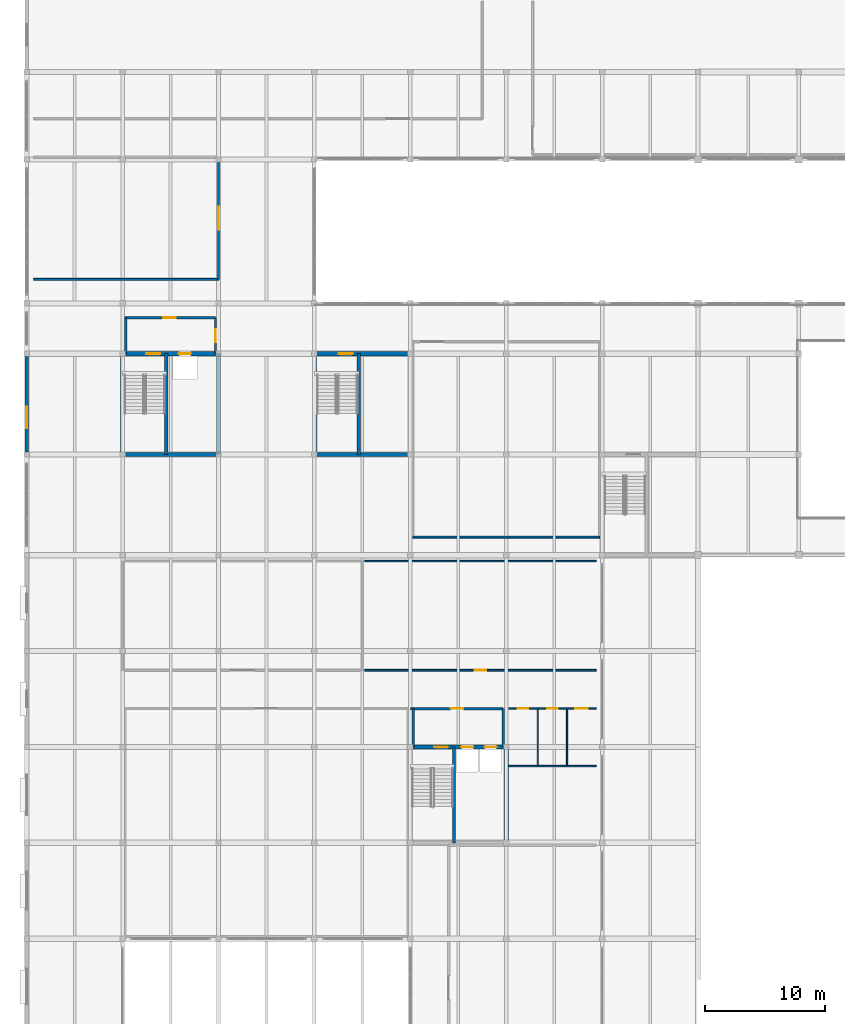
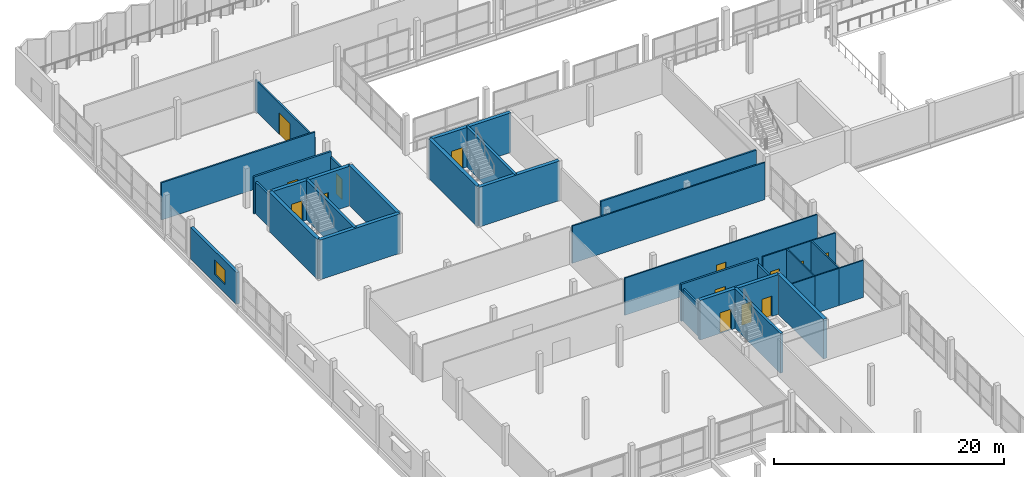
# One storey, part 38 of 53: 32 walls, 14 doors, 1 window, 15 openings.
"""IFC4 building model written with IfcOpenShell, lengths in metres."""

from ifc_helpers import new_model, si_unit, direction, frame, frame_2d, origin, place, context, subcontext, project, spatial, rectangle, extrude, material, layer, layer_set, type_object, element, fill, save


model = new_model("IFC4")

# Units and contexts
model_context = context("Model", 3, precision=1e-05, world=origin(), true_north=direction((0.0, 1.0)))
body_context = subcontext(model_context, "Body", "Model", "MODEL_VIEW")
ifc_project = project(units=[si_unit("LENGTHUNIT", "METRE"), si_unit("AREAUNIT", "SQUARE_METRE"), si_unit("VOLUMEUNIT", "CUBIC_METRE"), si_unit("PLANEANGLEUNIT", "RADIAN"), si_unit("MASSUNIT", "GRAM", prefix="KILO")], contexts=[model_context])

# Site, building, storey
site_placement = place(None, origin())
site = spatial("IfcSite", under=ifc_project, at=site_placement, CompositionType="ELEMENT")
building_placement = place(site_placement, origin())
building = spatial("IfcBuilding", under=site, at=building_placement, Name="Vharandega Faculty of Natural Sciences", CompositionType="ELEMENT")
storey_placement = place(building_placement, frame((0.0, 0.0, 10.199951171875)))
storey = spatial("IfcBuildingStorey", under=building, at=storey_placement, Name="L02", CompositionType="ELEMENT", Elevation=10.199951171875)

# Wall
ifc_material_1 = material(Name="Concrete C40/50", Category="concrete")
ifc_layer_1 = layer(ifc_material_1, 0.35009765625, Name="Concrete C40/50")
ifc_layer_set_1 = layer_set([ifc_layer_1], Name="Concrete C40/50")
wall_type_1 = type_object("IfcWallType", Name="Core Shear Wall 350", PredefinedType="SHEAR", material=ifc_layer_set_1)
wall_1_placement = place(storey_placement, frame((40.0, 40.0, 0.0), z_axis=(0.0, 0.0, 1.0), x_axis=(0.0, 1.0, 0.0)))
element("IfcWall", 1, at=wall_1_placement, inside=storey, type_object=wall_type_1, Name="Interior Wall CW-C3-L02-E", PredefinedType="SHEAR", context=body_context, shape_type="SweptSolid", body=[
    extrude(rectangle(XDim=8.0, YDim=0.35009765625, at=frame_2d((4.0, 0.0))), origin(), (0.0, 0.0, 1.0), 4.199951171875),
])

# Wall, openings, doors
wall_2_placement = place(storey_placement, frame((32.0, 48.0, 0.0), z_axis=(0.0, 0.0, 1.0), x_axis=(1.0, 0.0, 0.0)))
wall_2 = element("IfcWall", 2, at=wall_2_placement, inside=storey, type_object=wall_type_1, Name="Interior Wall CW-C3-L02-N", PredefinedType="SHEAR", context=body_context, shape_type="SweptSolid", body=[
    extrude(rectangle(XDim=8.0, YDim=0.35009765625, at=frame_2d((4.0, 0.0))), origin(), (0.0, 0.0, 1.0), 4.199951171875),
])
opening_1_placement = place(wall_2_placement, frame((1.97998046875, 0.0, 0.0)))
opening_1 = element("IfcOpeningElement", 3, at=opening_1_placement, cuts=wall_2, Name="Opening FD1", PredefinedType="OPENING", context=body_context, shape_type="SweptSolid", body=[
    extrude(rectangle(XDim=1.14990234375, YDim=2.199951171875, at=frame_2d((0.574951171875, 1.10009765625))), frame((0.0, 0.18505859375, 0.0), z_axis=(0.0, -1.0, 0.0), x_axis=(1.0, 0.0, 0.0)), (0.0, 0.0, 1.0), 0.3701171875),
])
opening_2_placement = place(wall_2_placement, frame((4.25, 0.0, 0.0)))
opening_2 = element("IfcOpeningElement", 4, at=opening_2_placement, cuts=wall_2, Name="Opening LD-LP3-L02", PredefinedType="OPENING", context=body_context, shape_type="SweptSolid", body=[
    extrude(rectangle(XDim=1.0, YDim=2.14990234375, at=frame_2d((0.5, 1.074951171875))), frame((0.0, 0.18505859375, 0.0), z_axis=(0.0, -1.0, 0.0), x_axis=(1.0, 0.0, 0.0)), (0.0, 0.0, 1.0), 0.3701171875),
])
opening_3_placement = place(wall_2_placement, frame((6.199951171875, 0.0, 0.0)))
opening_3 = element("IfcOpeningElement", 5, at=opening_3_placement, cuts=wall_2, Name="Opening LD-LP4-L02", PredefinedType="OPENING", context=body_context, shape_type="SweptSolid", body=[
    extrude(rectangle(XDim=1.0, YDim=2.14990234375, at=frame_2d((0.5, 1.074951171875))), frame((0.0, 0.18505859375, 0.0), z_axis=(0.0, -1.0, 0.0), x_axis=(1.0, 0.0, 0.0)), (0.0, 0.0, 1.0), 0.3701171875),
])
ifc_material_2 = material(Name="Solid-core hardwood timber fire door", Category="wood")
door_type_1 = type_object("IfcDoorType", Name="FD1-STAIR-1150x2200", OperationType="NOTDEFINED", PredefinedType="DOOR", material=ifc_material_2)
door_1_placement = place(opening_1_placement, origin())
door_1 = element("IfcDoor", 6, at=door_1_placement, inside=storey, type_object=door_type_1, Name="Stair ST3 Fire Door FD1", OperationType="SINGLE_SWING_LEFT", OverallHeight=2.199951171875, OverallWidth=1.14990234375, PredefinedType="DOOR", context=body_context, shape_type="SweptSolid", body=[
    extrude(rectangle(XDim=1.14990234375, YDim=2.199951171875, at=frame_2d((0.574951171875, 1.10009765625))), frame((0.0, 0.02490234375, 0.0), z_axis=(0.0, -1.0, 0.0), x_axis=(1.0, 0.0, 0.0)), (0.0, 0.0, 1.0), 0.050048828125),
])
fill(opening_1, door_1)
ifc_material_3 = material(Name="Brushed stainless steel sliding landing door", Category="steel")
door_type_2 = type_object("IfcDoorType", Name="LD2-PAXLIFT-SLIDING-1000x2150", OperationType="DOUBLE_DOOR_SLIDING", PredefinedType="DOOR", material=ifc_material_3)
door_2_placement = place(opening_2_placement, origin())
door_2 = element("IfcDoor", 7, at=door_2_placement, inside=storey, type_object=door_type_2, Name="Lift Landing Door LD-LP3-L02", OperationType="DOUBLE_DOOR_SLIDING", OverallHeight=2.14990234375, OverallWidth=1.0, PredefinedType="DOOR", context=body_context, shape_type="SweptSolid", body=[
    extrude(rectangle(XDim=1.0, YDim=2.14990234375, at=frame_2d((0.5, 1.074951171875))), frame((0.0, 0.02490234375, 0.0), z_axis=(0.0, -1.0, 0.0), x_axis=(1.0, 0.0, 0.0)), (0.0, 0.0, 1.0), 0.050048828125),
])
fill(opening_2, door_2)
door_3_placement = place(opening_3_placement, origin())
door_3 = element("IfcDoor", 8, at=door_3_placement, inside=storey, type_object=door_type_2, Name="Lift Landing Door LD-LP4-L02", OperationType="DOUBLE_DOOR_SLIDING", OverallHeight=2.14990234375, OverallWidth=1.0, PredefinedType="DOOR", context=body_context, shape_type="SweptSolid", body=[
    extrude(rectangle(XDim=1.0, YDim=2.14990234375, at=frame_2d((0.5, 1.074951171875))), frame((0.0, 0.02490234375, 0.0), z_axis=(0.0, -1.0, 0.0), x_axis=(1.0, 0.0, 0.0)), (0.0, 0.0, 1.0), 0.050048828125),
])
fill(opening_3, door_3)

# Walls
wall_3_placement = place(storey_placement, frame((8.0, 72.39990234375, 0.0), z_axis=(0.0, 0.0, 1.0), x_axis=(1.0, 0.0, 0.0)))
element("IfcWall", 9, at=wall_3_placement, inside=storey, type_object=wall_type_1, Name="Interior Wall CW-C4-L02-S", PredefinedType="SHEAR", context=body_context, shape_type="SweptSolid", body=[
    extrude(rectangle(XDim=8.0, YDim=0.35009765625, at=frame_2d((4.0, 0.0))), origin(), (0.0, 0.0, 1.0), 4.199951171875),
])
for number, where, z_axis, x_axis, name in (
    (10, (8.0, 72.39990234375, 0.0), (0.0, 0.0, 1.0), (0.0, 1.0, 0.0), "Interior Wall CW-C4-L02-W"),
    (11, (16.0, 72.39990234375, 0.0), (0.0, 0.0, 1.0), (0.0, 1.0, 0.0), "Interior Wall CW-C4-L02-E"),
):
    element("IfcWall", number, at=place(storey_placement, frame(where, z_axis=z_axis, x_axis=x_axis)), inside=storey, type_object=wall_type_1, Name=name, PredefinedType="SHEAR", context=body_context, shape_type="SweptSolid", body=[
        extrude(rectangle(XDim=8.400146484375, YDim=0.35009765625, at=frame_2d((4.2001953125, 0.0))), origin(), (0.0, 0.0, 1.0), 4.199951171875),
    ])

# Wall, openings, doors
wall_4_placement = place(storey_placement, frame((8.0, 80.800048828125, 0.0), z_axis=(0.0, 0.0, 1.0), x_axis=(1.0, 0.0, 0.0)))
wall_4 = element("IfcWall", 12, at=wall_4_placement, inside=storey, type_object=wall_type_1, Name="Interior Wall CW-C4-L02-N", PredefinedType="SHEAR", context=body_context, shape_type="SweptSolid", body=[
    extrude(rectangle(XDim=8.0, YDim=0.35009765625, at=frame_2d((4.0, 0.0))), origin(), (0.0, 0.0, 1.0), 4.199951171875),
])
opening_4_placement = place(wall_4_placement, frame((1.97998046875, 0.0, 0.0)))
opening_4 = element("IfcOpeningElement", 13, at=opening_4_placement, cuts=wall_4, Name="Opening FD1", PredefinedType="OPENING", context=body_context, shape_type="SweptSolid", body=[
    extrude(rectangle(XDim=1.14990234375, YDim=2.199951171875, at=frame_2d((0.574951171875, 1.10009765625))), frame((0.0, 0.18505859375, 0.0), z_axis=(0.0, -1.0, 0.0), x_axis=(1.0, 0.0, 0.0)), (0.0, 0.0, 1.0), 0.3701171875),
])
opening_5_placement = place(wall_4_placement, frame((4.699951171875, 0.0, 0.0)))
opening_5 = element("IfcOpeningElement", 14, at=opening_5_placement, cuts=wall_4, Name="Opening LD-LP2-L02", PredefinedType="OPENING", context=body_context, shape_type="SweptSolid", body=[
    extrude(rectangle(XDim=1.0, YDim=2.14990234375, at=frame_2d((0.5, 1.074951171875))), frame((0.0, 0.18505859375, 0.0), z_axis=(0.0, -1.0, 0.0), x_axis=(1.0, 0.0, 0.0)), (0.0, 0.0, 1.0), 0.3701171875),
])
door_4_placement = place(opening_4_placement, origin())
door_4 = element("IfcDoor", 15, at=door_4_placement, inside=storey, type_object=door_type_1, Name="Stair ST4 Fire Door FD1", OperationType="SINGLE_SWING_LEFT", OverallHeight=2.199951171875, OverallWidth=1.14990234375, PredefinedType="DOOR", context=body_context, shape_type="SweptSolid", body=[
    extrude(rectangle(XDim=1.14990234375, YDim=2.199951171875, at=frame_2d((0.574951171875, 1.10009765625))), frame((0.0, 0.02490234375, 0.0), z_axis=(0.0, -1.0, 0.0), x_axis=(1.0, 0.0, 0.0)), (0.0, 0.0, 1.0), 0.050048828125),
])
fill(opening_4, door_4)
door_5_placement = place(opening_5_placement, origin())
door_5 = element("IfcDoor", 16, at=door_5_placement, inside=storey, type_object=door_type_2, Name="Lift Landing Door LD-LP2-L02", OperationType="DOUBLE_DOOR_SLIDING", OverallHeight=2.14990234375, OverallWidth=1.0, PredefinedType="DOOR", context=body_context, shape_type="SweptSolid", body=[
    extrude(rectangle(XDim=1.0, YDim=2.14990234375, at=frame_2d((0.5, 1.074951171875))), frame((0.0, 0.02490234375, 0.0), z_axis=(0.0, -1.0, 0.0), x_axis=(1.0, 0.0, 0.0)), (0.0, 0.0, 1.0), 0.050048828125),
])
fill(opening_5, door_5)

# Walls
wall_5_placement = place(storey_placement, frame((24.0, 72.39990234375, 0.0), z_axis=(0.0, 0.0, 1.0), x_axis=(1.0, 0.0, 0.0)))
element("IfcWall", 17, at=wall_5_placement, inside=storey, type_object=wall_type_1, Name="Interior Wall CW-C6-L02-S", PredefinedType="SHEAR", context=body_context, shape_type="SweptSolid", body=[
    extrude(rectangle(XDim=8.0, YDim=0.35009765625, at=frame_2d((4.0, 0.0))), origin(), (0.0, 0.0, 1.0), 4.199951171875),
])
wall_6_placement = place(storey_placement, frame((24.0, 72.39990234375, 0.0), z_axis=(0.0, 0.0, 1.0), x_axis=(0.0, 1.0, 0.0)))
element("IfcWall", 18, at=wall_6_placement, inside=storey, type_object=wall_type_1, Name="Interior Wall CW-C6-L02-W", PredefinedType="SHEAR", context=body_context, shape_type="SweptSolid", body=[
    extrude(rectangle(XDim=8.400146484375, YDim=0.35009765625, at=frame_2d((4.2001953125, 0.0))), origin(), (0.0, 0.0, 1.0), 4.199951171875),
])

# Wall, opening, door
wall_7_placement = place(storey_placement, frame((24.0, 80.800048828125, 0.0), z_axis=(0.0, 0.0, 1.0), x_axis=(1.0, 0.0, 0.0)))
wall_7 = element("IfcWall", 19, at=wall_7_placement, inside=storey, type_object=wall_type_1, Name="Interior Wall CW-C6-L02-N", PredefinedType="SHEAR", context=body_context, shape_type="SweptSolid", body=[
    extrude(rectangle(XDim=8.0, YDim=0.35009765625, at=frame_2d((4.0, 0.0))), origin(), (0.0, 0.0, 1.0), 4.199951171875),
])
opening_6_placement = place(wall_7_placement, frame((2.0400390625, 0.0, 0.0)))
opening_6 = element("IfcOpeningElement", 20, at=opening_6_placement, cuts=wall_7, Name="Opening FD1", PredefinedType="OPENING", context=body_context, shape_type="SweptSolid", body=[
    extrude(rectangle(XDim=1.14990234375, YDim=2.199951171875, at=frame_2d((0.574951171875, 1.10009765625))), frame((0.0, 0.18505859375, 0.0), z_axis=(0.0, -1.0, 0.0), x_axis=(1.0, 0.0, 0.0)), (0.0, 0.0, 1.0), 0.3701171875),
])
door_6_placement = place(opening_6_placement, origin())
door_6 = element("IfcDoor", 21, at=door_6_placement, inside=storey, type_object=door_type_1, Name="Stair ST6 Fire Door FD1", OperationType="SINGLE_SWING_LEFT", OverallHeight=2.199951171875, OverallWidth=1.14990234375, PredefinedType="DOOR", context=body_context, shape_type="SweptSolid", body=[
    extrude(rectangle(XDim=1.14990234375, YDim=2.199951171875, at=frame_2d((0.574951171875, 1.10009765625))), frame((0.0, 0.02490234375, 0.0), z_axis=(0.0, -1.0, 0.0), x_axis=(1.0, 0.0, 0.0)), (0.0, 0.0, 1.0), 0.050048828125),
])
fill(opening_6, door_6)

ifc_material_4 = material(Name="Concrete C40/50", Category="concrete")
ifc_layer_2 = layer(ifc_material_4, 0.199951171875, Name="Concrete C40/50")
ifc_layer_set_2 = layer_set([ifc_layer_2], Name="Concrete C40/50")
wall_type_2 = type_object("IfcWallType", Name="Firefighting Lobby Wall 200", PredefinedType="PARTITIONING", material=ifc_layer_set_2)
wall_8_placement = place(storey_placement, frame((32.0, 51.199951171875, 0.0), z_axis=(0.0, 0.0, 1.0), x_axis=(1.0, 0.0, 0.0)))
wall_8 = element("IfcWall", 22, at=wall_8_placement, inside=storey, type_object=wall_type_2, Name="Interior Wall PW-LL-C3-L02-N", PredefinedType="PARTITIONING", context=body_context, shape_type="SweptSolid", body=[
    extrude(rectangle(XDim=7.75, YDim=0.199951171875, at=frame_2d((3.875, 0.0))), origin(), (0.0, 0.0, 1.0), 3.920166015625),
])
opening_7_placement = place(wall_8_placement, frame((3.375, 0.0, 0.0)))
opening_7 = element("IfcOpeningElement", 23, at=opening_7_placement, cuts=wall_8, Name="Opening FD4", PredefinedType="OPENING", context=body_context, shape_type="SweptSolid", body=[
    extrude(rectangle(XDim=1.050048828125, YDim=2.14990234375, at=frame_2d((0.52490234375, 1.074951171875))), frame((0.0, 0.10986328125, 0.0), z_axis=(0.0, -1.0, 0.0), x_axis=(1.0, 0.0, 0.0)), (0.0, 0.0, 1.0), 0.219970703125),
])
ifc_material_5 = material(Name="Solid-core hardwood timber fire door", Category="wood")
door_type_3 = type_object("IfcDoorType", Name="FD4-LAB-SGL-1050x2150", OperationType="NOTDEFINED", PredefinedType="DOOR", material=ifc_material_5)
door_7_placement = place(opening_7_placement, origin())
door_7 = element("IfcDoor", 24, at=door_7_placement, inside=storey, type_object=door_type_3, Name="Lift Lobby C3 Door FD4", OperationType="SINGLE_SWING_LEFT", OverallHeight=2.14990234375, OverallWidth=1.050048828125, PredefinedType="DOOR", context=body_context, shape_type="SweptSolid", body=[
    extrude(rectangle(XDim=1.050048828125, YDim=2.14990234375, at=frame_2d((0.52490234375, 1.074951171875))), frame((0.0, 0.02490234375, 0.0), z_axis=(0.0, -1.0, 0.0), x_axis=(1.0, 0.0, 0.0)), (0.0, 0.0, 1.0), 0.050048828125),
])
fill(opening_7, door_7)

# Walls
for number, where, z_axis, x_axis, name in (
    (25, (39.75, 48.0, 0.0), (0.0, 0.0, 1.0), (0.0, 1.0, 0.0), "Interior Wall PW-LL-C3-L02-E"),
    (26, (32.25, 48.0, 0.0), (0.0, 0.0, 1.0), (0.0, 1.0, 0.0), "Interior Wall PW-LL-C3-L02-W"),
):
    element("IfcWall", number, at=place(storey_placement, frame(where, z_axis=z_axis, x_axis=x_axis)), inside=storey, type_object=wall_type_2, Name=name, PredefinedType="PARTITIONING", context=body_context, shape_type="SweptSolid", body=[
        extrude(rectangle(XDim=3.199951171875, YDim=0.199951171875, at=frame_2d((1.60009765625, 0.0))), origin(), (0.0, 0.0, 1.0), 3.360107421875),
    ])

# Wall, opening, door
wall_9_placement = place(storey_placement, frame((8.0, 83.800048828125, 0.0), z_axis=(0.0, 0.0, 1.0), x_axis=(1.0, 0.0, 0.0)))
wall_9 = element("IfcWall", 27, at=wall_9_placement, inside=storey, type_object=wall_type_2, Name="Interior Wall PW-LL-C4-L02-N", PredefinedType="PARTITIONING", context=body_context, shape_type="SweptSolid", body=[
    extrude(rectangle(XDim=7.75, YDim=0.199951171875, at=frame_2d((3.875, 0.0))), origin(), (0.0, 0.0, 1.0), 3.920166015625),
])
opening_8_placement = place(wall_9_placement, frame((3.375, 0.0, 0.0)))
opening_8 = element("IfcOpeningElement", 28, at=opening_8_placement, cuts=wall_9, Name="Opening FD4", PredefinedType="OPENING", context=body_context, shape_type="SweptSolid", body=[
    extrude(rectangle(XDim=1.050048828125, YDim=2.14990234375, at=frame_2d((0.52490234375, 1.074951171875))), frame((0.0, 0.10986328125, 0.0), z_axis=(0.0, -1.0, 0.0), x_axis=(1.0, 0.0, 0.0)), (0.0, 0.0, 1.0), 0.219970703125),
])
door_8_placement = place(opening_8_placement, origin())
door_8 = element("IfcDoor", 29, at=door_8_placement, inside=storey, type_object=door_type_3, Name="Lift Lobby C4 Door FD4", OperationType="SINGLE_SWING_RIGHT", OverallHeight=2.14990234375, OverallWidth=1.050048828125, PredefinedType="DOOR", context=body_context, shape_type="SweptSolid", body=[
    extrude(rectangle(XDim=1.050048828125, YDim=2.14990234375, at=frame_2d((0.52490234375, 1.074951171875))), frame((0.0, 0.02490234375, 0.0), z_axis=(0.0, -1.0, 0.0), x_axis=(1.0, 0.0, 0.0)), (0.0, 0.0, 1.0), 0.050048828125),
])
fill(opening_8, door_8)

wall_10_placement = place(storey_placement, frame((15.75, 80.800048828125, 0.0), z_axis=(0.0, 0.0, 1.0), x_axis=(0.0, 1.0, 0.0)))
wall_10 = element("IfcWall", 30, at=wall_10_placement, inside=storey, type_object=wall_type_2, Name="Interior Wall PW-LL-C4-L02-E", PredefinedType="PARTITIONING", context=body_context, shape_type="SweptSolid", body=[
    extrude(rectangle(XDim=3.0, YDim=0.199951171875, at=frame_2d((1.5, 0.0))), origin(), (0.0, 0.0, 1.0), 3.360107421875),
])
opening_9_placement = place(wall_10_placement, frame((0.97509765625, 0.0, 0.0)))
opening_9 = element("IfcOpeningElement", 31, at=opening_9_placement, cuts=wall_10, Name="Opening FD4", PredefinedType="OPENING", context=body_context, shape_type="SweptSolid", body=[
    extrude(rectangle(XDim=1.050048828125, YDim=2.14990234375, at=frame_2d((0.52490234375, 1.074951171875))), frame((0.0, 0.10986328125, 0.0), z_axis=(0.0, -1.0, 0.0), x_axis=(1.0, 0.0, 0.0)), (0.0, 0.0, 1.0), 0.219970703125),
])
door_9_placement = place(opening_9_placement, origin())
door_9 = element("IfcDoor", 32, at=door_9_placement, inside=storey, type_object=door_type_3, Name="Lift Lobby C4 East Door FD4", OperationType="SINGLE_SWING_LEFT", OverallHeight=2.14990234375, OverallWidth=1.050048828125, PredefinedType="DOOR", context=body_context, shape_type="SweptSolid", body=[
    extrude(rectangle(XDim=1.050048828125, YDim=2.14990234375, at=frame_2d((0.52490234375, 1.074951171875))), frame((0.0, 0.02490234375, 0.0), z_axis=(0.0, -1.0, 0.0), x_axis=(1.0, 0.0, 0.0)), (0.0, 0.0, 1.0), 0.050048828125),
])
fill(opening_9, door_9)

# Walls
wall_11_placement = place(storey_placement, frame((8.25, 80.800048828125, 0.0), z_axis=(0.0, 0.0, 1.0), x_axis=(0.0, 1.0, 0.0)))
element("IfcWall", 33, at=wall_11_placement, inside=storey, type_object=wall_type_2, Name="Interior Wall PW-LL-C4-L02-W", PredefinedType="PARTITIONING", context=body_context, shape_type="SweptSolid", body=[
    extrude(rectangle(XDim=3.0, YDim=0.199951171875, at=frame_2d((1.5, 0.0))), origin(), (0.0, 0.0, 1.0), 3.360107421875),
])
ifc_material_6 = material(Name="Gypsum fire-board on steel stud", Category="steel")
ifc_layer_3 = layer(ifc_material_6, 0.159912109375, Name="Gypsum fire-board on steel stud")
ifc_layer_set_3 = layer_set([ifc_layer_3], Name="Gypsum fire-board on steel stud")
wall_type_3 = type_object("IfcWallType", Name="Laboratory Fire Corridor Wall 160", PredefinedType="PARTITIONING", material=ifc_layer_set_3)
wall_12_placement = place(storey_placement, frame((0.60009765625, 87.0, 0.0), z_axis=(0.0, 0.0, 1.0), x_axis=(1.0, 0.0, 0.0)))
element("IfcWall", 34, at=wall_12_placement, inside=storey, type_object=wall_type_3, Name="Interior Wall PW-L02-R12S", PredefinedType="PARTITIONING", context=body_context, shape_type="SweptSolid", body=[
    extrude(rectangle(XDim=15.39990234375, YDim=0.159912109375, at=frame_2d((7.699951171875, 0.0))), origin(), (0.0, 0.0, 1.0), 3.93994140625),
])

# Wall, opening, door
wall_13_placement = place(storey_placement, frame((16.0, 87.0, 0.0), z_axis=(0.0, 0.0, 1.0), x_axis=(0.0, 1.0, 0.0)))
wall_13 = element("IfcWall", 35, at=wall_13_placement, inside=storey, type_object=wall_type_3, Name="Interior Wall PW-L02-R12E", PredefinedType="PARTITIONING", context=body_context, shape_type="SweptSolid", body=[
    extrude(rectangle(XDim=10.199951171875, YDim=0.159912109375, at=frame_2d((5.10009765625, 0.0))), origin(), (0.0, 0.0, 1.0), 3.31005859375),
])
opening_10_placement = place(wall_13_placement, frame((4.14990234375, 0.0, 0.0)))
opening_10 = element("IfcOpeningElement", 36, at=opening_10_placement, cuts=wall_13, Name="Opening D0276", PredefinedType="OPENING", context=body_context, shape_type="SweptSolid", body=[
    extrude(rectangle(XDim=1.89990234375, YDim=2.300048828125, at=frame_2d((0.949951171875, 1.14990234375))), frame((0.0, 0.08984375, 0.0), z_axis=(0.0, -1.0, 0.0), x_axis=(1.0, 0.0, 0.0)), (0.0, 0.0, 1.0), 0.179931640625),
])
ifc_material_7 = material(Name="Solid-core hardwood timber fire door", Category="wood")
door_type_4 = type_object("IfcDoorType", Name="ID08-COMMONS-DBL-1900x2300", OperationType="DOUBLE_DOOR_SINGLE_SWING", PredefinedType="DOOR", material=ifc_material_7)
door_10_placement = place(opening_10_placement, origin())
door_10 = element("IfcDoor", 37, at=door_10_placement, inside=storey, type_object=door_type_4, Name="Collaborative Study Commons Door D0276", OperationType="DOUBLE_DOOR_SINGLE_SWING", OverallHeight=2.300048828125, OverallWidth=1.89990234375, PredefinedType="DOOR", context=body_context, shape_type="SweptSolid", body=[
    extrude(rectangle(XDim=1.89990234375, YDim=2.300048828125, at=frame_2d((0.949951171875, 1.14990234375))), frame((0.0, 0.02490234375, 0.0), z_axis=(0.0, -1.0, 0.0), x_axis=(1.0, 0.0, 0.0)), (0.0, 0.0, 1.0), 0.050048828125),
])
fill(opening_10, door_10)

# Walls
wall_14_placement = place(storey_placement, frame((32.199951171875, 65.5, 0.0), z_axis=(0.0, 0.0, 1.0), x_axis=(1.0, 0.0, 0.0)))
element("IfcWall", 38, at=wall_14_placement, inside=storey, type_object=wall_type_3, Name="Interior Wall PW-L02-R13S", PredefinedType="PARTITIONING", context=body_context, shape_type="SweptSolid", body=[
    extrude(rectangle(XDim=15.60009765625, YDim=0.159912109375, at=frame_2d((7.800048828125, 0.0))), origin(), (0.0, 0.0, 1.0), 3.93994140625),
])
ifc_material_8 = material(Name="Concrete C40/50", Category="concrete")
ifc_layer_4 = layer(ifc_material_8, 0.260009765625, Name="Concrete C40/50")
ifc_layer_set_4 = layer_set([ifc_layer_4], Name="Concrete C40/50")
wall_type_4 = type_object("IfcWallType", Name="Lift Shaft Shear Wall 260", PredefinedType="SHEAR", material=ifc_layer_set_4)
wall_15_placement = place(storey_placement, frame((35.639892578125, 40.0, 0.0), z_axis=(0.0, 0.0, 1.0), x_axis=(0.0, 1.0, 0.0)))
element("IfcWall", 39, at=wall_15_placement, inside=storey, type_object=wall_type_4, Name="Interior Wall CW-C3-L02-DIV", PredefinedType="SHEAR", context=body_context, shape_type="SweptSolid", body=[
    extrude(rectangle(XDim=8.0, YDim=0.260009765625, at=frame_2d((4.0, 0.0))), origin(), (0.0, 0.0, 1.0), 4.199951171875),
])
for number, where, z_axis, x_axis, name in (
    (40, (11.639892578125, 72.39990234375, 0.0), (0.0, 0.0, 1.0), (0.0, 1.0, 0.0), "Interior Wall CW-C4-L02-DIV"),
    (41, (27.699951171875, 72.39990234375, 0.0), (0.0, 0.0, 1.0), (0.0, 1.0, 0.0), "Interior Wall CW-C6-L02-DIV"),
):
    element("IfcWall", number, at=place(storey_placement, frame(where, z_axis=z_axis, x_axis=x_axis)), inside=storey, type_object=wall_type_4, Name=name, PredefinedType="SHEAR", context=body_context, shape_type="SweptSolid", body=[
        extrude(rectangle(XDim=8.400146484375, YDim=0.260009765625, at=frame_2d((4.2001953125, 0.0))), origin(), (0.0, 0.0, 1.0), 4.199951171875),
    ])

# Wall, opening, window
ifc_material_9 = material(Name="Precast concrete C40/50", Category="concrete")
ifc_layer_5 = layer(ifc_material_9, 0.300048828125, Name="Precast concrete C40/50")
ifc_layer_set_5 = layer_set([ifc_layer_5], Name="Precast concrete C40/50")
wall_type_5 = type_object("IfcWallType", Name="Polychrome Precast Facade Wall 300", PredefinedType="SOLIDWALL", material=ifc_layer_set_5)
wall_16_placement = place(storey_placement, frame((0.0, 72.623046875, 0.0), z_axis=(0.0, 0.0, 1.0), x_axis=(0.0, 1.0, 0.0)))
wall_16 = element("IfcWall", 42, at=wall_16_placement, inside=storey, type_object=wall_type_5, Name="Exterior Wall EW-V2W-L02-2", PredefinedType="SOLIDWALL", context=body_context, shape_type="SweptSolid", body=[
    extrude(rectangle(XDim=7.953857421875, YDim=0.300048828125, at=frame_2d((3.97705078125, 0.0))), origin(), (0.0, 0.0, 1.0), 3.360107421875),
])
opening_11_placement = place(wall_16_placement, frame((1.95703125, 0.0, 0.89990234375)))
opening_11 = element("IfcOpeningElement", 43, at=opening_11_placement, cuts=wall_16, Name="Opening WN-20", PredefinedType="OPENING", context=body_context, shape_type="SweptSolid", body=[
    extrude(rectangle(XDim=1.800048828125, YDim=1.550048828125, at=frame_2d((0.89990234375, 0.77490234375))), frame((0.0, 0.16015625, 0.0), z_axis=(0.0, -1.0, 0.0), x_axis=(1.0, 0.0, 0.0)), (0.0, 0.0, 1.0), 0.320068359375),
])
ifc_material_10 = material(Name="Double-glazed solar-control glass in thermally broken aluminium frame", Category="aluminium")
window_type = type_object("IfcWindowType", Name="WIN-SEM-180x155", PartitioningType="DOUBLE_PANEL_VERTICAL", PredefinedType="WINDOW", material=ifc_material_10)
window_placement = place(opening_11_placement, origin())
window = element("IfcWindow", 44, at=window_placement, inside=storey, type_object=window_type, Name="Window WIN-L02-0183", OverallHeight=1.550048828125, OverallWidth=1.800048828125, PartitioningType="SINGLE_PANEL", PredefinedType="WINDOW", context=body_context, shape_type="SweptSolid", body=[
    extrude(rectangle(XDim=1.800048828125, YDim=1.550048828125, at=frame_2d((0.89990234375, 0.77490234375))), frame((0.0, 0.030029296875, 0.0), z_axis=(0.0, -1.0, 0.0), x_axis=(1.0, 0.0, 0.0)), (0.0, 0.0, 1.0), 0.06005859375),
])
fill(opening_11, window)

# Wall, opening, door
ifc_material_11 = material(Name="Gypsum acoustic partition", Category="gypsum")
ifc_layer_6 = layer(ifc_material_11, 0.139892578125, Name="Gypsum acoustic partition")
ifc_layer_set_6 = layer_set([ifc_layer_6], Name="Gypsum acoustic partition")
wall_type_6 = type_object("IfcWallType", Name="Room Partition Wall 140", PredefinedType="PARTITIONING", material=ifc_layer_set_6)
wall_17_placement = place(storey_placement, frame((28.199951171875, 54.39990234375, 0.0), z_axis=(0.0, 0.0, 1.0), x_axis=(1.0, 0.0, 0.0)))
wall_17 = element("IfcWall", 45, at=wall_17_placement, inside=storey, type_object=wall_type_6, Name="Interior Wall PW-L02-R06S", PredefinedType="PARTITIONING", context=body_context, shape_type="SweptSolid", body=[
    extrude(rectangle(XDim=19.300048828125, YDim=0.139892578125, at=frame_2d((9.64990234375, 0.0))), origin(), (0.0, 0.0, 1.0), 3.93994140625),
])
opening_12_placement = place(wall_17_placement, frame((9.175048828125, 0.0, 0.0)))
opening_12 = element("IfcOpeningElement", 46, at=opening_12_placement, cuts=wall_17, Name="Opening D0270", PredefinedType="OPENING", context=body_context, shape_type="SweptSolid", body=[
    extrude(rectangle(XDim=0.949951171875, YDim=2.10009765625, at=frame_2d((0.47509765625, 1.050048828125))), frame((0.0, 0.080078125, 0.0), z_axis=(0.0, -1.0, 0.0), x_axis=(1.0, 0.0, 0.0)), (0.0, 0.0, 1.0), 0.159912109375),
])
ifc_material_12 = material(Name="Solid-core hardwood timber fire door", Category="wood")
door_type_5 = type_object("IfcDoorType", Name="ID04-OFFICE-0950x2100", OperationType="NOTDEFINED", PredefinedType="DOOR", material=ifc_material_12)
door_11_placement = place(opening_12_placement, origin())
door_11 = element("IfcDoor", 47, at=door_11_placement, inside=storey, type_object=door_type_5, Name="Departmental Administration Office Door D0270", OperationType="SINGLE_SWING_LEFT", OverallHeight=2.10009765625, OverallWidth=0.949951171875, PredefinedType="DOOR", context=body_context, shape_type="SweptSolid", body=[
    extrude(rectangle(XDim=0.949951171875, YDim=2.10009765625, at=frame_2d((0.47509765625, 1.050048828125))), frame((0.0, 0.02490234375, 0.0), z_axis=(0.0, -1.0, 0.0), x_axis=(1.0, 0.0, 0.0)), (0.0, 0.0, 1.0), 0.050048828125),
])
fill(opening_12, door_11)

# Walls
wall_18_placement = place(storey_placement, frame((28.199951171875, 63.5, 0.0), z_axis=(0.0, 0.0, 1.0), x_axis=(1.0, 0.0, 0.0)))
element("IfcWall", 48, at=wall_18_placement, inside=storey, type_object=wall_type_6, Name="Interior Wall PW-L02-R06N", PredefinedType="PARTITIONING", context=body_context, shape_type="SweptSolid", body=[
    extrude(rectangle(XDim=19.300048828125, YDim=0.139892578125, at=frame_2d((9.64990234375, 0.0))), origin(), (0.0, 0.0, 1.0), 3.93994140625),
])
ifc_material_13 = material(Name="Moisture-resistant gypsum partition", Category="gypsum")
ifc_layer_7 = layer(ifc_material_13, 0.1201171875, Name="Moisture-resistant gypsum partition")
ifc_layer_set_7 = layer_set([ifc_layer_7], Name="Moisture-resistant gypsum partition")
wall_type_7 = type_object("IfcWallType", Name="Sanitary Wet Wall 120", PredefinedType="PARTITIONING", material=ifc_layer_set_7)
wall_19_placement = place(storey_placement, frame((40.199951171875, 46.39990234375, 0.0), z_axis=(0.0, 0.0, 1.0), x_axis=(1.0, 0.0, 0.0)))
element("IfcWall", 49, at=wall_19_placement, inside=storey, type_object=wall_type_7, Name="Interior Wall PW-L02-R07S", PredefinedType="PARTITIONING", context=body_context, shape_type="SweptSolid", body=[
    extrude(rectangle(XDim=2.429931640625, YDim=0.1201171875, at=frame_2d((1.21484375, 0.0))), origin(), (0.0, 0.0, 1.0), 3.93994140625),
])

# Wall, opening, door
wall_20_placement = place(storey_placement, frame((40.199951171875, 51.199951171875, 0.0), z_axis=(0.0, 0.0, 1.0), x_axis=(1.0, 0.0, 0.0)))
wall_20 = element("IfcWall", 50, at=wall_20_placement, inside=storey, type_object=wall_type_7, Name="Interior Wall PW-L02-R07N", PredefinedType="PARTITIONING", context=body_context, shape_type="SweptSolid", body=[
    extrude(rectangle(XDim=2.429931640625, YDim=0.1201171875, at=frame_2d((1.21484375, 0.0))), origin(), (0.0, 0.0, 1.0), 3.93994140625),
])
opening_13_placement = place(wall_20_placement, frame((0.77490234375, 0.0, 0.0)))
opening_13 = element("IfcOpeningElement", 51, at=opening_13_placement, cuts=wall_20, Name="Opening D0271", PredefinedType="OPENING", context=body_context, shape_type="SweptSolid", body=[
    extrude(rectangle(XDim=0.8798828125, YDim=2.10009765625, at=frame_2d((0.43994140625, 1.050048828125))), frame((0.0, 0.070068359375, 0.0), z_axis=(0.0, -1.0, 0.0), x_axis=(1.0, 0.0, 0.0)), (0.0, 0.0, 1.0), 0.14013671875),
])
ifc_material_14 = material(Name="Solid-core hardwood timber fire door", Category="wood")
door_type_6 = type_object("IfcDoorType", Name="ID06-WC-0880x2100", OperationType="NOTDEFINED", PredefinedType="DOOR", material=ifc_material_14)
door_12_placement = place(opening_13_placement, origin())
door_12 = element("IfcDoor", 52, at=door_12_placement, inside=storey, type_object=door_type_6, Name="L02 Male Washroom Door D0271", OperationType="SINGLE_SWING_RIGHT", OverallHeight=2.10009765625, OverallWidth=0.8798828125, PredefinedType="DOOR", context=body_context, shape_type="SweptSolid", body=[
    extrude(rectangle(XDim=0.8798828125, YDim=2.10009765625, at=frame_2d((0.43994140625, 1.050048828125))), frame((0.0, 0.02490234375, 0.0), z_axis=(0.0, -1.0, 0.0), x_axis=(1.0, 0.0, 0.0)), (0.0, 0.0, 1.0), 0.050048828125),
])
fill(opening_13, door_12)

# Walls
wall_21_placement = place(storey_placement, frame((42.6298828125, 46.39990234375, 0.0), z_axis=(0.0, 0.0, 1.0), x_axis=(0.0, 1.0, 0.0)))
element("IfcWall", 53, at=wall_21_placement, inside=storey, type_object=wall_type_7, Name="Interior Wall PW-L02-R07E", PredefinedType="PARTITIONING", context=body_context, shape_type="SweptSolid", body=[
    extrude(rectangle(XDim=4.800048828125, YDim=0.1201171875, at=frame_2d((2.39990234375, 0.0))), origin(), (0.0, 0.0, 1.0), 3.93994140625),
])
wall_22_placement = place(storey_placement, frame((42.6298828125, 46.39990234375, 0.0), z_axis=(0.0, 0.0, 1.0), x_axis=(1.0, 0.0, 0.0)))
element("IfcWall", 54, at=wall_22_placement, inside=storey, type_object=wall_type_7, Name="Interior Wall PW-L02-R08S", PredefinedType="PARTITIONING", context=body_context, shape_type="SweptSolid", body=[
    extrude(rectangle(XDim=2.440185546875, YDim=0.1201171875, at=frame_2d((1.22021484375, 0.0))), origin(), (0.0, 0.0, 1.0), 3.93994140625),
])

# Wall, opening, door
wall_23_placement = place(storey_placement, frame((42.6298828125, 51.199951171875, 0.0), z_axis=(0.0, 0.0, 1.0), x_axis=(1.0, 0.0, 0.0)))
wall_23 = element("IfcWall", 55, at=wall_23_placement, inside=storey, type_object=wall_type_7, Name="Interior Wall PW-L02-R08N", PredefinedType="PARTITIONING", context=body_context, shape_type="SweptSolid", body=[
    extrude(rectangle(XDim=2.440185546875, YDim=0.1201171875, at=frame_2d((1.22021484375, 0.0))), origin(), (0.0, 0.0, 1.0), 3.93994140625),
])
opening_14_placement = place(wall_23_placement, frame((0.780029296875, 0.0, 0.0)))
opening_14 = element("IfcOpeningElement", 56, at=opening_14_placement, cuts=wall_23, Name="Opening D0272", PredefinedType="OPENING", context=body_context, shape_type="SweptSolid", body=[
    extrude(rectangle(XDim=0.8798828125, YDim=2.10009765625, at=frame_2d((0.43994140625, 1.050048828125))), frame((0.0, 0.070068359375, 0.0), z_axis=(0.0, -1.0, 0.0), x_axis=(1.0, 0.0, 0.0)), (0.0, 0.0, 1.0), 0.14013671875),
])
door_13_placement = place(opening_14_placement, origin())
door_13 = element("IfcDoor", 57, at=door_13_placement, inside=storey, type_object=door_type_6, Name="L02 Female Washroom Door D0272", OperationType="SINGLE_SWING_LEFT", OverallHeight=2.10009765625, OverallWidth=0.8798828125, PredefinedType="DOOR", context=body_context, shape_type="SweptSolid", body=[
    extrude(rectangle(XDim=0.8798828125, YDim=2.10009765625, at=frame_2d((0.43994140625, 1.050048828125))), frame((0.0, 0.02490234375, 0.0), z_axis=(0.0, -1.0, 0.0), x_axis=(1.0, 0.0, 0.0)), (0.0, 0.0, 1.0), 0.050048828125),
])
fill(opening_14, door_13)

# Walls
wall_24_placement = place(storey_placement, frame((45.070068359375, 46.39990234375, 0.0), z_axis=(0.0, 0.0, 1.0), x_axis=(0.0, 1.0, 0.0)))
element("IfcWall", 58, at=wall_24_placement, inside=storey, type_object=wall_type_7, Name="Interior Wall PW-L02-R08E", PredefinedType="PARTITIONING", context=body_context, shape_type="SweptSolid", body=[
    extrude(rectangle(XDim=4.800048828125, YDim=0.1201171875, at=frame_2d((2.39990234375, 0.0))), origin(), (0.0, 0.0, 1.0), 3.93994140625),
])
wall_25_placement = place(storey_placement, frame((45.070068359375, 46.39990234375, 0.0), z_axis=(0.0, 0.0, 1.0), x_axis=(1.0, 0.0, 0.0)))
element("IfcWall", 59, at=wall_25_placement, inside=storey, type_object=wall_type_7, Name="Interior Wall PW-L02-R09S", PredefinedType="PARTITIONING", context=body_context, shape_type="SweptSolid", body=[
    extrude(rectangle(XDim=2.429931640625, YDim=0.1201171875, at=frame_2d((1.21484375, 0.0))), origin(), (0.0, 0.0, 1.0), 3.93994140625),
])

# Wall, opening, door
wall_26_placement = place(storey_placement, frame((45.070068359375, 51.199951171875, 0.0), z_axis=(0.0, 0.0, 1.0), x_axis=(1.0, 0.0, 0.0)))
wall_26 = element("IfcWall", 60, at=wall_26_placement, inside=storey, type_object=wall_type_7, Name="Interior Wall PW-L02-R09N", PredefinedType="PARTITIONING", context=body_context, shape_type="SweptSolid", body=[
    extrude(rectangle(XDim=2.429931640625, YDim=0.1201171875, at=frame_2d((1.21484375, 0.0))), origin(), (0.0, 0.0, 1.0), 3.93994140625),
])
opening_15_placement = place(wall_26_placement, frame((0.705078125, 0.0, 0.0)))
opening_15 = element("IfcOpeningElement", 61, at=opening_15_placement, cuts=wall_26, Name="Opening D0273", PredefinedType="OPENING", context=body_context, shape_type="SweptSolid", body=[
    extrude(rectangle(XDim=1.02001953125, YDim=2.10009765625, at=frame_2d((0.510009765625, 1.050048828125))), frame((0.0, 0.070068359375, 0.0), z_axis=(0.0, -1.0, 0.0), x_axis=(1.0, 0.0, 0.0)), (0.0, 0.0, 1.0), 0.14013671875),
])
ifc_material_15 = material(Name="Solid-core hardwood timber fire door", Category="wood")
door_type_7 = type_object("IfcDoorType", Name="ID07-ACCWC-1020x2100", OperationType="NOTDEFINED", PredefinedType="DOOR", material=ifc_material_15)
door_14_placement = place(opening_15_placement, origin())
door_14 = element("IfcDoor", 62, at=door_14_placement, inside=storey, type_object=door_type_7, Name="L02 Accessible WC Door D0273", OperationType="SINGLE_SWING_RIGHT", OverallHeight=2.10009765625, OverallWidth=1.02001953125, PredefinedType="DOOR", context=body_context, shape_type="SweptSolid", body=[
    extrude(rectangle(XDim=1.02001953125, YDim=2.10009765625, at=frame_2d((0.510009765625, 1.050048828125))), frame((0.0, 0.02490234375, 0.0), z_axis=(0.0, -1.0, 0.0), x_axis=(1.0, 0.0, 0.0)), (0.0, 0.0, 1.0), 0.050048828125),
])
fill(opening_15, door_14)

save(model, "model.ifc")
